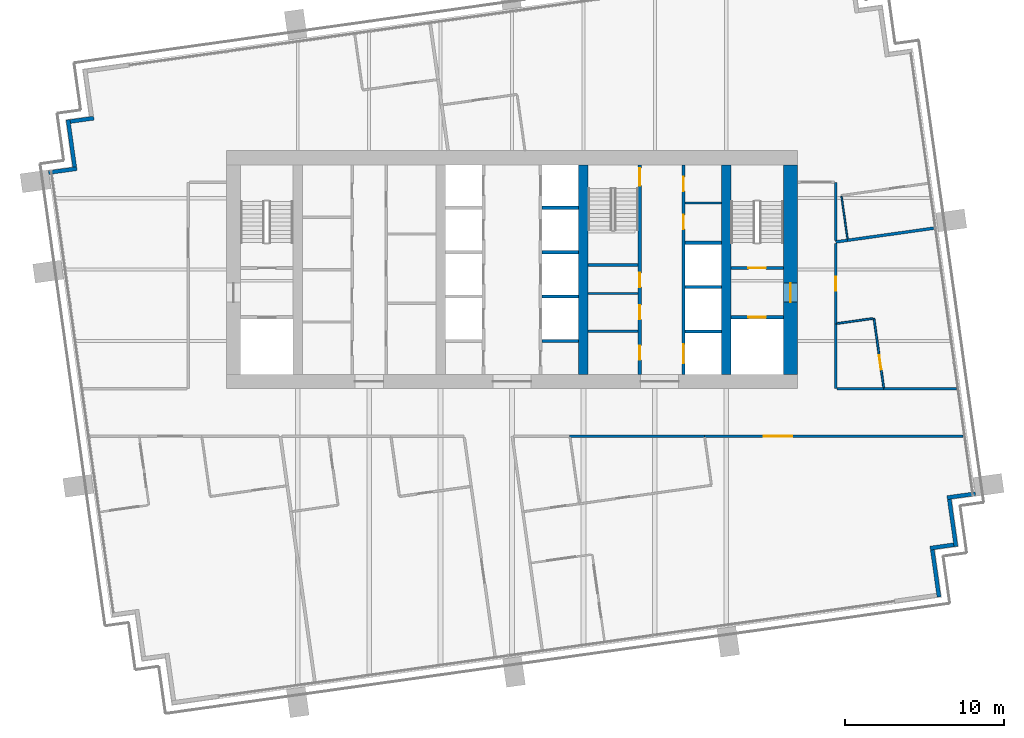
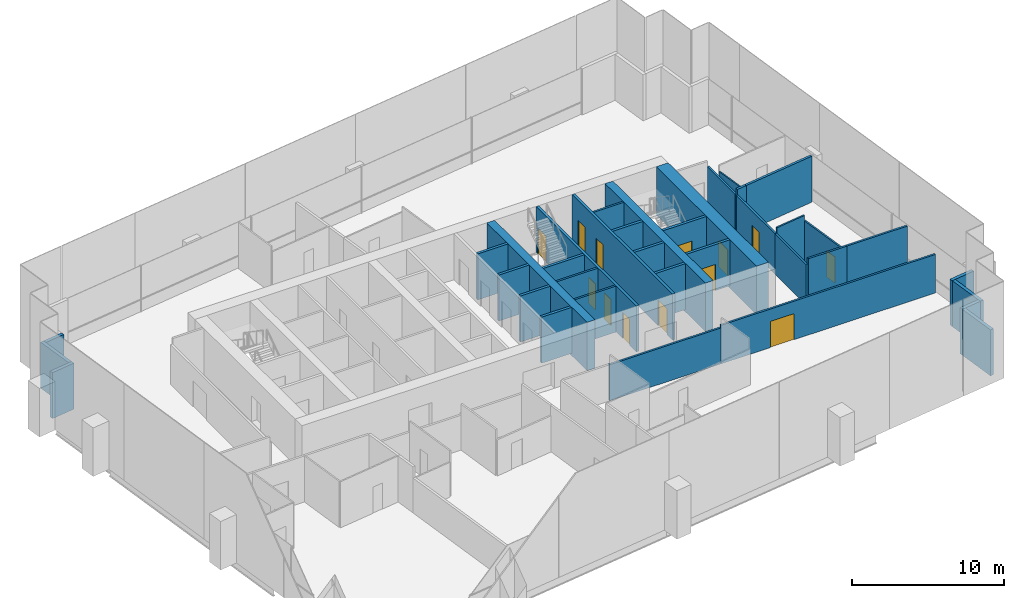
# One storey, part 11 of 17: 37 walls, 13 doors, 13 openings.
"""IFC4 building model written with IfcOpenShell, lengths in metres."""

from ifc_helpers import new_model, si_unit, direction, frame, frame_2d, origin, place, context, subcontext, project, spatial, rectangle, extrude, material, layer, layer_set, type_object, element, fill, save


model = new_model("IFC4")

# Units and contexts
model_context = context("Model", 3, precision=1e-05, world=origin(), true_north=direction((0.0, 1.0)))
body_context = subcontext(model_context, "Body", "Model", "MODEL_VIEW")
ifc_project = project(units=[si_unit("LENGTHUNIT", "METRE"), si_unit("AREAUNIT", "SQUARE_METRE"), si_unit("VOLUMEUNIT", "CUBIC_METRE"), si_unit("PLANEANGLEUNIT", "RADIAN"), si_unit("MASSUNIT", "GRAM", prefix="KILO")], contexts=[model_context])

# Site, building, storey
site_placement = place(None, origin())
site = spatial("IfcSite", under=ifc_project, at=site_placement, CompositionType="ELEMENT")
building_placement = place(site_placement, origin())
building = spatial("IfcBuilding", under=site, at=building_placement, Name="Rattan Terrace Tower", CompositionType="ELEMENT")
storey_placement = place(building_placement, frame((0.0, 0.0, 168.5)))
storey = spatial("IfcBuildingStorey", under=building, at=storey_placement, Name="L38", CompositionType="ELEMENT", Elevation=168.5)

# Walls
ifc_material_1 = material(Name="Gypsum board partition")
ifc_layer_1 = layer(ifc_material_1, 0.14990234375)
ifc_layer_set_1 = layer_set([ifc_layer_1], Name="Core partition 150")
wall_type_1 = type_object("IfcWallType", Name="Core partition 150", PredefinedType="PARTITIONING", material=ifc_layer_set_1)
for number, where, z_axis, x_axis, name in (
    (1, (4.800048828125, -3.8798828125, 0.0), (0.0, 0.0, 1.0), (1.0, 0.0, 0.0), "Toilet wall"),
    (2, (4.800048828125, -1.5, 0.0), (0.0, 0.0, 1.0), (1.0, 0.0, 0.0), "Toilet wall"),
):
    element("IfcWall", number, at=place(storey_placement, frame(where, z_axis=z_axis, x_axis=x_axis)), inside=storey, type_object=wall_type_1, Name=name, PredefinedType="PARTITIONING", context=body_context, shape_type="SweptSolid", body=[
        extrude(rectangle(XDim=3.14990234375, YDim=0.14990234375, at=frame_2d((1.574951171875, 0.0))), origin(), (0.0, 0.0, 1.0), 3.699951171875),
    ])
wall_1_placement = place(storey_placement, frame((10.89990234375, 4.199951171875, 0.0), z_axis=(0.0, 0.0, 1.0), x_axis=(1.0, 0.0, 0.0)))
element("IfcWall", 3, at=wall_1_placement, inside=storey, type_object=wall_type_1, Name="Riser room wall", PredefinedType="PARTITIONING", context=body_context, shape_type="SweptSolid", body=[
    extrude(rectangle(XDim=2.300048828125, YDim=0.14990234375, at=frame_2d((1.14990234375, 0.0))), origin(), (0.0, 0.0, 1.0), 3.699951171875),
])

# Wall, opening, door
ifc_material_2 = material(Name="Gypsum board partition")
ifc_layer_2 = layer(ifc_material_2, 0.199951171875)
ifc_layer_set_2 = layer_set([ifc_layer_2], Name="Core partition 200")
wall_type_2 = type_object("IfcWallType", Name="Core partition 200", PredefinedType="PARTITIONING", material=ifc_layer_set_2)
wall_2_placement = place(storey_placement, frame((13.800048828125, -3.0, 0.0), z_axis=(0.0, 0.0, 1.0), x_axis=(1.0, 0.0, 0.0)))
wall_2 = element("IfcWall", 4, at=wall_2_placement, inside=storey, type_object=wall_type_2, Name="Fire-fighting lobby wall", PredefinedType="PARTITIONING", context=body_context, shape_type="SweptSolid", body=[
    extrude(rectangle(XDim=3.300048828125, YDim=0.199951171875, at=frame_2d((1.64990234375, 0.0))), origin(), (0.0, 0.0, 1.0), 3.699951171875),
])
opening_1_placement = place(wall_2_placement, frame((1.10009765625, 0.0, 0.0)))
opening_1 = element("IfcOpeningElement", 5, at=opening_1_placement, cuts=wall_2, Name="Opening L38-LD-FF2", PredefinedType="OPENING", context=body_context, shape_type="SweptSolid", body=[
    extrude(rectangle(XDim=1.10009765625, YDim=2.10009765625, at=frame_2d((0.550048828125, 1.050048828125))), frame((0.0, 0.110595703125, 0.0), z_axis=(0.0, -1.0, 0.0), x_axis=(1.0, 0.0, 0.0)), (0.0, 0.0, 1.0), 0.220947265625),
])
ifc_material_3 = material(Name="Brushed stainless landing door panel")
door_type_1 = type_object("IfcDoorType", Name="Core lift landing door 1100", OperationType="DOUBLE_DOOR_SLIDING", PredefinedType="DOOR", material=ifc_material_3)
door_1_placement = place(opening_1_placement, origin())
door_1 = element("IfcDoor", 6, at=door_1_placement, inside=storey, type_object=door_type_1, Name="Door L38-LD-FF2", OperationType="DOUBLE_DOOR_SLIDING", OverallHeight=2.10009765625, OverallWidth=1.10009765625, PredefinedType="DOOR", context=body_context, shape_type="SweptSolid", body=[
    extrude(rectangle(XDim=1.10009765625, YDim=2.10009765625, at=frame_2d((0.550048828125, 1.050048828125))), frame((0.0, 0.02490234375, 0.0), z_axis=(0.0, -1.0, 0.0), x_axis=(1.0, 0.0, 0.0)), (0.0, 0.0, 1.0), 0.050048828125),
])
fill(opening_1, door_1)

wall_3_placement = place(storey_placement, frame((13.800048828125, 0.10009765625, 0.0), z_axis=(0.0, 0.0, 1.0), x_axis=(1.0, 0.0, 0.0)))
wall_3 = element("IfcWall", 7, at=wall_3_placement, inside=storey, type_object=wall_type_2, Name="Stair enclosure wall", PredefinedType="PARTITIONING", context=body_context, shape_type="SweptSolid", body=[
    extrude(rectangle(XDim=3.300048828125, YDim=0.199951171875, at=frame_2d((1.64990234375, 0.0))), origin(), (0.0, 0.0, 1.0), 3.699951171875),
])
opening_2_placement = place(wall_3_placement, frame((1.10009765625, 0.0, 0.0)))
opening_2 = element("IfcOpeningElement", 8, at=opening_2_placement, cuts=wall_3, Name="Opening L38-D004", PredefinedType="OPENING", context=body_context, shape_type="SweptSolid", body=[
    extrude(rectangle(XDim=1.10009765625, YDim=2.10009765625, at=frame_2d((0.550048828125, 1.050048828125))), frame((0.0, 0.110595703125, 0.0), z_axis=(0.0, -1.0, 0.0), x_axis=(1.0, 0.0, 0.0)), (0.0, 0.0, 1.0), 0.220947265625),
])
ifc_material_4 = material(Name="Hollow-metal fire door leaf")
door_type_2 = type_object("IfcDoorType", Name="Core stair door 1100", OperationType="NOTDEFINED", PredefinedType="DOOR", material=ifc_material_4)
door_2_placement = place(opening_2_placement, origin())
door_2 = element("IfcDoor", 9, at=door_2_placement, inside=storey, type_object=door_type_2, Name="Door L38-D004", OperationType="SINGLE_SWING_RIGHT", OverallHeight=2.10009765625, OverallWidth=1.10009765625, PredefinedType="DOOR", context=body_context, shape_type="SweptSolid", body=[
    extrude(rectangle(XDim=1.10009765625, YDim=2.10009765625, at=frame_2d((0.550048828125, 1.050048828125))), frame((0.0, 0.02490234375, 0.0), z_axis=(0.0, -1.0, 0.0), x_axis=(1.0, 0.0, 0.0)), (0.0, 0.0, 1.0), 0.050048828125),
])
fill(opening_2, door_2)

# Wall, openings, doors
wall_4_placement = place(storey_placement, frame((8.050048828125, -6.60009765625, 0.0), z_axis=(0.0, 0.0, 1.0), x_axis=(0.0, 1.0, 0.0)))
wall_4 = element("IfcWall", 10, at=wall_4_placement, inside=storey, type_object=wall_type_2, Name="Lobby wall west", PredefinedType="PARTITIONING", context=body_context, shape_type="SweptSolid", body=[
    extrude(rectangle(XDim=13.2001953125, YDim=0.199951171875, at=frame_2d((6.60009765625, 0.0))), origin(), (0.0, 0.0, 1.0), 3.699951171875),
])
opening_3_placement = place(wall_4_placement, frame((0.909912109375, 0.0, 0.0)))
opening_3 = element("IfcOpeningElement", 11, at=opening_3_placement, cuts=wall_4, Name="Opening L38-D016", PredefinedType="OPENING", context=body_context, shape_type="SweptSolid", body=[
    extrude(rectangle(XDim=0.89990234375, YDim=2.10009765625, at=frame_2d((0.449951171875, 1.050048828125))), frame((0.0, 0.110595703125, 0.0), z_axis=(0.0, -1.0, 0.0), x_axis=(1.0, 0.0, 0.0)), (0.0, 0.0, 1.0), 0.220947265625),
])
opening_4_placement = place(wall_4_placement, frame((3.4599609375, 0.0, 0.0)))
opening_4 = element("IfcOpeningElement", 12, at=opening_4_placement, cuts=wall_4, Name="Opening L38-D017", PredefinedType="OPENING", context=body_context, shape_type="SweptSolid", body=[
    extrude(rectangle(XDim=0.89990234375, YDim=2.10009765625, at=frame_2d((0.449951171875, 1.050048828125))), frame((0.0, 0.110595703125, 0.0), z_axis=(0.0, -1.0, 0.0), x_axis=(1.0, 0.0, 0.0)), (0.0, 0.0, 1.0), 0.220947265625),
])
opening_5_placement = place(wall_4_placement, frame((5.5, 0.0, 0.0)))
opening_5 = element("IfcOpeningElement", 13, at=opening_5_placement, cuts=wall_4, Name="Opening L38-D018", PredefinedType="OPENING", context=body_context, shape_type="SweptSolid", body=[
    extrude(rectangle(XDim=0.89990234375, YDim=2.10009765625, at=frame_2d((0.449951171875, 1.050048828125))), frame((0.0, 0.110595703125, 0.0), z_axis=(0.0, -1.0, 0.0), x_axis=(1.0, 0.0, 0.0)), (0.0, 0.0, 1.0), 0.220947265625),
])
opening_6_placement = place(wall_4_placement, frame((11.89990234375, 0.0, 0.0)))
opening_6 = element("IfcOpeningElement", 14, at=opening_6_placement, cuts=wall_4, Name="Opening L38-D019", PredefinedType="OPENING", context=body_context, shape_type="SweptSolid", body=[
    extrude(rectangle(XDim=1.10009765625, YDim=2.10009765625, at=frame_2d((0.550048828125, 1.050048828125))), frame((0.0, 0.110595703125, 0.0), z_axis=(0.0, -1.0, 0.0), x_axis=(1.0, 0.0, 0.0)), (0.0, 0.0, 1.0), 0.220947265625),
])
ifc_material_5 = material(Name="Hollow-metal fire door leaf")
door_type_3 = type_object("IfcDoorType", Name="Core service room door 900", OperationType="NOTDEFINED", PredefinedType="DOOR", material=ifc_material_5)
door_3_placement = place(opening_5_placement, origin())
door_3 = element("IfcDoor", 15, at=door_3_placement, inside=storey, type_object=door_type_3, Name="Door L38-D018", OperationType="SINGLE_SWING_LEFT", OverallHeight=2.10009765625, OverallWidth=0.89990234375, PredefinedType="DOOR", context=body_context, shape_type="SweptSolid", body=[
    extrude(rectangle(XDim=0.89990234375, YDim=2.10009765625, at=frame_2d((0.449951171875, 1.050048828125))), frame((0.0, 0.02490234375, 0.0), z_axis=(0.0, -1.0, 0.0), x_axis=(1.0, 0.0, 0.0)), (0.0, 0.0, 1.0), 0.050048828125),
])
fill(opening_5, door_3)
door_4_placement = place(opening_6_placement, origin())
door_4 = element("IfcDoor", 16, at=door_4_placement, inside=storey, type_object=door_type_2, Name="Door L38-D019", OperationType="SINGLE_SWING_RIGHT", OverallHeight=2.10009765625, OverallWidth=1.10009765625, PredefinedType="DOOR", context=body_context, shape_type="SweptSolid", body=[
    extrude(rectangle(XDim=1.10009765625, YDim=2.10009765625, at=frame_2d((0.550048828125, 1.050048828125))), frame((0.0, 0.02490234375, 0.0), z_axis=(0.0, -1.0, 0.0), x_axis=(1.0, 0.0, 0.0)), (0.0, 0.0, 1.0), 0.050048828125),
])
fill(opening_6, door_4)
ifc_material_6 = material(Name="Hollow-metal fire door leaf")
door_type_4 = type_object("IfcDoorType", Name="Core toilet door 900", OperationType="NOTDEFINED", PredefinedType="DOOR", material=ifc_material_6)
door_5_placement = place(opening_3_placement, origin())
door_5 = element("IfcDoor", 17, at=door_5_placement, inside=storey, type_object=door_type_4, Name="Door L38-D016", OperationType="SINGLE_SWING_LEFT", OverallHeight=2.10009765625, OverallWidth=0.89990234375, PredefinedType="DOOR", context=body_context, shape_type="SweptSolid", body=[
    extrude(rectangle(XDim=0.89990234375, YDim=2.10009765625, at=frame_2d((0.449951171875, 1.050048828125))), frame((0.0, 0.02490234375, 0.0), z_axis=(0.0, -1.0, 0.0), x_axis=(1.0, 0.0, 0.0)), (0.0, 0.0, 1.0), 0.050048828125),
])
fill(opening_3, door_5)
door_6_placement = place(opening_4_placement, origin())
door_6 = element("IfcDoor", 18, at=door_6_placement, inside=storey, type_object=door_type_4, Name="Door L38-D017", OperationType="SINGLE_SWING_RIGHT", OverallHeight=2.10009765625, OverallWidth=0.89990234375, PredefinedType="DOOR", context=body_context, shape_type="SweptSolid", body=[
    extrude(rectangle(XDim=0.89990234375, YDim=2.10009765625, at=frame_2d((0.449951171875, 1.050048828125))), frame((0.0, 0.02490234375, 0.0), z_axis=(0.0, -1.0, 0.0), x_axis=(1.0, 0.0, 0.0)), (0.0, 0.0, 1.0), 0.050048828125),
])
fill(opening_4, door_6)

# Wall
wall_5_placement = place(storey_placement, frame((4.800048828125, 0.300048828125, 0.0), z_axis=(0.0, 0.0, 1.0), x_axis=(1.0, 0.0, 0.0)))
element("IfcWall", 19, at=wall_5_placement, inside=storey, type_object=wall_type_2, Name="Stair enclosure wall", PredefinedType="PARTITIONING", context=body_context, shape_type="SweptSolid", body=[
    extrude(rectangle(XDim=3.14990234375, YDim=0.199951171875, at=frame_2d((1.574951171875, 0.0))), origin(), (0.0, 0.0, 1.0), 3.699951171875),
])

# Wall, opening, door
ifc_material_7 = material(Name="Concrete C60/75", Category="concrete")
ifc_layer_3 = layer(ifc_material_7, 0.89990234375)
ifc_layer_set_3 = layer_set([ifc_layer_3], Name="Core ring wall 900 C60/75")
wall_type_3 = type_object("IfcWallType", Name="Core ring wall 900 C60/75", PredefinedType="SHEAR", material=ifc_layer_set_3)
wall_6_placement = place(storey_placement, frame((17.550048828125, -6.60009765625, -0.199951171875), z_axis=(0.0, 0.0, 1.0), x_axis=(0.0, 1.0, 0.0)))
wall_6 = element("IfcWall", 20, at=wall_6_placement, inside=storey, type_object=wall_type_3, Name="Rear core wall east", PredefinedType="SHEAR", context=body_context, shape_type="SweptSolid", body=[
    extrude(rectangle(XDim=13.2001953125, YDim=0.89990234375, at=frame_2d((6.60009765625, 0.0))), origin(), (0.0, 0.0, 1.0), 3.89990234375),
])
opening_7_placement = place(wall_6_placement, frame((4.550048828125, 0.0, 0.199951171875)))
opening_7 = element("IfcOpeningElement", 21, at=opening_7_placement, cuts=wall_6, Name="Opening L38-D003", PredefinedType="OPENING", context=body_context, shape_type="SweptSolid", body=[
    extrude(rectangle(XDim=1.199951171875, YDim=2.10009765625, at=frame_2d((0.60009765625, 1.050048828125))), frame((0.0, 0.46044921875, 0.0), z_axis=(0.0, -1.0, 0.0), x_axis=(1.0, 0.0, 0.0)), (0.0, 0.0, 1.0), 0.9208984375),
])
ifc_material_8 = material(Name="Hollow-metal fire door leaf")
door_type_5 = type_object("IfcDoorType", Name="Core fire-fighting lobby door 1200", OperationType="NOTDEFINED", PredefinedType="DOOR", material=ifc_material_8)
door_7_placement = place(opening_7_placement, origin())
door_7 = element("IfcDoor", 22, at=door_7_placement, inside=storey, type_object=door_type_5, Name="Door L38-D003", OperationType="SINGLE_SWING_LEFT", OverallHeight=2.10009765625, OverallWidth=1.199951171875, PredefinedType="DOOR", context=body_context, shape_type="SweptSolid", body=[
    extrude(rectangle(XDim=1.199951171875, YDim=2.10009765625, at=frame_2d((0.60009765625, 1.050048828125))), frame((0.0, 0.02490234375, 0.0), z_axis=(0.0, -1.0, 0.0), x_axis=(1.0, 0.0, 0.0)), (0.0, 0.0, 1.0), 0.050048828125),
])
fill(opening_7, door_7)

# Walls
ifc_material_9 = material(Name="Concrete C60/75", Category="concrete")
ifc_layer_4 = layer(ifc_material_9, 0.60009765625)
ifc_layer_set_4 = layer_set([ifc_layer_4], Name="Core spine wall 600 C60/75")
wall_type_4 = type_object("IfcWallType", Name="Core spine wall 600 C60/75", PredefinedType="SHEAR", material=ifc_layer_set_4)
for number, where, z_axis, x_axis, name in (
    (23, (4.5, -6.60009765625, -0.199951171875), (0.0, 0.0, 1.0), (0.0, 1.0, 0.0), "Core spine wall 3"),
    (24, (13.5, -6.60009765625, -0.199951171875), (0.0, 0.0, 1.0), (0.0, 1.0, 0.0), "Core spine wall 4"),
):
    element("IfcWall", number, at=place(storey_placement, frame(where, z_axis=z_axis, x_axis=x_axis)), inside=storey, type_object=wall_type_4, Name=name, PredefinedType="SHEAR", context=body_context, shape_type="SweptSolid", body=[
        extrude(rectangle(XDim=13.2001953125, YDim=0.60009765625, at=frame_2d((6.60009765625, 0.0))), origin(), (0.0, 0.0, 1.0), 3.89990234375),
    ])
ifc_material_10 = material(Name="Insulated aluminium-clad stud wall", Category="aluminium")
ifc_layer_5 = layer(ifc_material_10, 0.25)
ifc_layer_set_5 = layer_set([ifc_layer_5], Name="Facade Riser Wall 250")
wall_type_5 = type_object("IfcWallType", Name="Facade Riser Wall 250", PredefinedType="SOLIDWALL", material=ifc_layer_set_5)
wall_7_placement = place(storey_placement, frame((26.9052734375, -20.6220703125, 0.0), z_axis=(0.0, 0.0, 1.0), x_axis=(-0.139313431826, 0.990248336385, 0.0)))
element("IfcWall", 25, at=wall_7_placement, inside=storey, type_object=wall_type_5, Name="Riser wall L38-2", PredefinedType="SOLIDWALL", context=body_context, shape_type="SweptSolid", body=[
    extrude(rectangle(XDim=3.000244140625, YDim=0.25, at=frame_2d((1.5, 0.0))), origin(), (0.0, 0.0, 1.0), 3.699951171875),
])
wall_8_placement = place(storey_placement, frame((26.34619140625, -17.54443359375, 0.0), z_axis=(0.0, 0.0, 1.0), x_axis=(0.990368090482, 0.13845954411, 0.0)))
element("IfcWall", 26, at=wall_8_placement, inside=storey, type_object=wall_type_5, Name="Riser wall L38-3", PredefinedType="SOLIDWALL", context=body_context, shape_type="SweptSolid", body=[
    extrude(rectangle(XDim=1.50048828125, YDim=0.25, at=frame_2d((0.750244140625, 0.0))), origin(), (0.0, 0.0, 1.0), 3.699951171875),
])
wall_9_placement = place(storey_placement, frame((27.973388671875, -17.443115234375, 0.0), z_axis=(0.0, 0.0, 1.0), x_axis=(-0.139313431826, 0.990248336385, 0.0)))
element("IfcWall", 27, at=wall_9_placement, inside=storey, type_object=wall_type_5, Name="Riser wall L38-4", PredefinedType="SOLIDWALL", context=body_context, shape_type="SweptSolid", body=[
    extrude(rectangle(XDim=3.000244140625, YDim=0.25, at=frame_2d((1.5, 0.0))), origin(), (0.0, 0.0, 1.0), 3.699951171875),
])
wall_10_placement = place(storey_placement, frame((27.414306640625, -14.36572265625, 0.0), z_axis=(0.0, 0.0, 1.0), x_axis=(0.990256286673, 0.139256908998, 0.0)))
element("IfcWall", 28, at=wall_10_placement, inside=storey, type_object=wall_type_5, Name="Riser wall L38-5", PredefinedType="SOLIDWALL", context=body_context, shape_type="SweptSolid", body=[
    extrude(rectangle(XDim=1.800537109375, YDim=0.25, at=frame_2d((0.900390625, 0.0))), origin(), (0.0, 0.0, 1.0), 3.699951171875),
])
wall_11_placement = place(storey_placement, frame((-26.34619140625, 9.54443359375, 0.0), z_axis=(0.0, 0.0, 1.0), x_axis=(-0.990368090482, -0.13845954411, 0.0)))
element("IfcWall", 29, at=wall_11_placement, inside=storey, type_object=wall_type_5, Name="Riser wall L38-13", PredefinedType="SOLIDWALL", context=body_context, shape_type="SweptSolid", body=[
    extrude(rectangle(XDim=1.50048828125, YDim=0.25, at=frame_2d((0.750244140625, 0.0))), origin(), (0.0, 0.0, 1.0), 3.699951171875),
])
wall_12_placement = place(storey_placement, frame((-27.973388671875, 9.443115234375, 0.0), z_axis=(0.0, 0.0, 1.0), x_axis=(0.139313431826, -0.990248336385, 0.0)))
element("IfcWall", 30, at=wall_12_placement, inside=storey, type_object=wall_type_5, Name="Riser wall L38-14", PredefinedType="SOLIDWALL", context=body_context, shape_type="SweptSolid", body=[
    extrude(rectangle(XDim=3.000244140625, YDim=0.25, at=frame_2d((1.5, 0.0))), origin(), (0.0, 0.0, 1.0), 3.699951171875),
])
wall_13_placement = place(storey_placement, frame((-27.414306640625, 6.36572265625, 0.0), z_axis=(0.0, 0.0, 1.0), x_axis=(-0.990256286673, -0.139256908998, 0.0)))
element("IfcWall", 31, at=wall_13_placement, inside=storey, type_object=wall_type_5, Name="Riser wall L38-15", PredefinedType="SOLIDWALL", context=body_context, shape_type="SweptSolid", body=[
    extrude(rectangle(XDim=1.800537109375, YDim=0.25, at=frame_2d((0.900390625, 0.0))), origin(), (0.0, 0.0, 1.0), 3.699951171875),
])
ifc_material_11 = material(Name="Double steel stud acoustic partition, gypsum board, mineral wool, fire rated", Category="steel")
ifc_layer_6 = layer(ifc_material_11, 0.179931640625)
ifc_layer_set_6 = layer_set([ifc_layer_6], Name="Floors Acoustic Party Wall 180")
wall_type_6 = type_object("IfcWallType", Name="Floors Acoustic Party Wall 180", PredefinedType="PARTITIONING", material=ifc_layer_set_6)
wall_14_placement = place(storey_placement, frame((20.39892578125, 1.7451171875, 0.0), z_axis=(0.0, 0.0, 1.0), x_axis=(0.990315465901, 0.138835434947, 0.0)))
element("IfcWall", 32, at=wall_14_placement, inside=storey, type_object=wall_type_6, Name="pt-L38-048", PredefinedType="PARTITIONING", context=body_context, shape_type="SweptSolid", body=[
    extrude(rectangle(XDim=0.740234375, YDim=0.179931640625, at=frame_2d((0.3701171875, 0.0))), origin(), (0.0, 0.0, 1.0), 3.699951171875),
])
wall_15_placement = place(storey_placement, frame((21.132080078125, 1.847900390625, 0.0), z_axis=(0.0, 0.0, 1.0), x_axis=(0.990277893792, 0.139103174181, 0.0)))
element("IfcWall", 33, at=wall_15_placement, inside=storey, type_object=wall_type_6, Name="pt-L38-049", PredefinedType="PARTITIONING", context=body_context, shape_type="SweptSolid", body=[
    extrude(rectangle(XDim=5.50048828125, YDim=0.179931640625, at=frame_2d((2.750244140625, 0.0))), origin(), (0.0, 0.0, 1.0), 3.699951171875),
])
ifc_material_12 = material(Name="Gypsum board partition on steel studs", Category="steel")
ifc_layer_7 = layer(ifc_material_12, 0.10009765625)
ifc_layer_set_7 = layer_set([ifc_layer_7], Name="Floors Partition 100")
wall_type_7 = type_object("IfcWallType", Name="Floors Partition 100", PredefinedType="PARTITIONING", material=ifc_layer_set_7)
wall_16_placement = place(storey_placement, frame((20.761962890625, 4.623046875, 0.0), z_axis=(0.0, 0.0, 1.0), x_axis=(0.139125052108, -0.990274820379, 0.0)))
element("IfcWall", 34, at=wall_16_placement, inside=storey, type_object=wall_type_7, Name="pt-L38-050", PredefinedType="PARTITIONING", context=body_context, shape_type="SweptSolid", body=[
    extrude(rectangle(XDim=2.70947265625, YDim=0.10009765625, at=frame_2d((1.354736328125, 0.0))), origin(), (0.0, 0.0, 1.0), 3.25),
])

# Wall, opening, door
ifc_material_13 = material(Name="Gypsum board partition on steel studs, fire rated", Category="steel")
ifc_layer_8 = layer(ifc_material_13, 0.14990234375)
ifc_layer_set_8 = layer_set([ifc_layer_8], Name="Floors Tenancy Wall 150")
wall_type_8 = type_object("IfcWallType", Name="Floors Tenancy Wall 150", PredefinedType="PARTITIONING", material=ifc_layer_set_8)
wall_17_placement = place(storey_placement, frame((28.4208984375, -10.5, 0.0), z_axis=(0.0, 0.0, 1.0), x_axis=(-1.0, 0.0, 0.0)))
wall_17 = element("IfcWall", 35, at=wall_17_placement, inside=storey, type_object=wall_type_8, Name="pt-L38-010", PredefinedType="PARTITIONING", context=body_context, shape_type="SweptSolid", body=[
    extrude(rectangle(XDim=16.307861328125, YDim=0.14990234375, at=frame_2d((8.15380859375, 0.0))), origin(), (0.0, 0.0, 1.0), 3.10009765625),
])
opening_8_placement = place(wall_17_placement, frame((10.756103515625, 0.0, 0.0)))
opening_8 = element("IfcOpeningElement", 36, at=opening_8_placement, cuts=wall_17, Name="Opening L38-D106", PredefinedType="OPENING", context=body_context, shape_type="SweptSolid", body=[
    extrude(rectangle(XDim=1.800048828125, YDim=2.10009765625, at=frame_2d((0.89990234375, 1.050048828125))), frame((0.0, 0.08544921875, 0.0), z_axis=(0.0, -1.0, 0.0), x_axis=(1.0, 0.0, 0.0)), (0.0, 0.0, 1.0), 0.1708984375),
])
ifc_material_14 = material(Name="Steel fire door set", Category="steel")
door_type_6 = type_object("IfcDoorType", Name="Floors Fire Door Pair FD30S 1800x2100", OperationType="NOTDEFINED", PredefinedType="DOOR", material=ifc_material_14)
door_8_placement = place(opening_8_placement, origin())
door_8 = element("IfcDoor", 37, at=door_8_placement, inside=storey, type_object=door_type_6, Name="d-L38-106", OperationType="DOUBLE_DOOR_SINGLE_SWING", OverallHeight=2.10009765625, OverallWidth=1.800048828125, PredefinedType="DOOR", context=body_context, shape_type="SweptSolid", body=[
    extrude(rectangle(XDim=1.800048828125, YDim=2.10009765625, at=frame_2d((0.89990234375, 1.050048828125))), frame((0.0, 0.02490234375, 0.0), z_axis=(0.0, -1.0, 0.0), x_axis=(1.0, 0.0, 0.0)), (0.0, 0.0, 1.0), 0.050048828125),
])
fill(opening_8, door_8)

# Wall
wall_18_placement = place(storey_placement, frame((12.113037109375, -10.5, 0.0), z_axis=(0.0, 0.0, 1.0), x_axis=(-1.0, 0.0, 0.0)))
element("IfcWall", 38, at=wall_18_placement, inside=storey, type_object=wall_type_8, Name="pt-L38-014", PredefinedType="PARTITIONING", context=body_context, shape_type="SweptSolid", body=[
    extrude(rectangle(XDim=8.483154296875, YDim=0.14990234375, at=frame_2d((4.24169921875, 0.0))), origin(), (0.0, 0.0, 1.0), 2.89990234375),
])

# Wall, opening, door
wall_19_placement = place(storey_placement, frame((20.39990234375, 1.656005859375, 0.0), z_axis=(0.0, 0.0, 1.0), x_axis=(0.0, -1.0, 0.0)))
wall_19 = element("IfcWall", 39, at=wall_19_placement, inside=storey, type_object=wall_type_8, Name="pt-L38-018", PredefinedType="PARTITIONING", context=body_context, shape_type="SweptSolid", body=[
    extrude(rectangle(XDim=5.0810546875, YDim=0.14990234375, at=frame_2d((2.54052734375, 0.0))), origin(), (0.0, 0.0, 1.0), 3.25),
])
opening_9_placement = place(wall_19_placement, frame((2.090087890625, 0.0, 0.0)))
opening_9 = element("IfcOpeningElement", 40, at=opening_9_placement, cuts=wall_19, Name="Opening L38-D112", PredefinedType="OPENING", context=body_context, shape_type="SweptSolid", body=[
    extrude(rectangle(XDim=0.89990234375, YDim=2.10009765625, at=frame_2d((0.449951171875, 1.050048828125))), frame((0.0, 0.08544921875, 0.0), z_axis=(0.0, -1.0, 0.0), x_axis=(1.0, 0.0, 0.0)), (0.0, 0.0, 1.0), 0.1708984375),
])
ifc_material_15 = material(Name="Steel fire door set", Category="steel")
door_type_7 = type_object("IfcDoorType", Name="Floors Fire Door FD30S 900x2100", OperationType="NOTDEFINED", PredefinedType="DOOR", material=ifc_material_15)
door_9_placement = place(opening_9_placement, origin())
door_9 = element("IfcDoor", 41, at=door_9_placement, inside=storey, type_object=door_type_7, Name="d-L38-112", OperationType="SINGLE_SWING_LEFT", OverallHeight=2.10009765625, OverallWidth=0.89990234375, PredefinedType="DOOR", context=body_context, shape_type="SweptSolid", body=[
    extrude(rectangle(XDim=0.89990234375, YDim=2.10009765625, at=frame_2d((0.449951171875, 1.050048828125))), frame((0.0, 0.02490234375, 0.0), z_axis=(0.0, -1.0, 0.0), x_axis=(1.0, 0.0, 0.0)), (0.0, 0.0, 1.0), 0.050048828125),
])
fill(opening_9, door_9)

# Walls
wall_20_placement = place(storey_placement, frame((23.408935546875, -7.5, 0.0), z_axis=(0.0, 0.0, 1.0), x_axis=(1.0, 0.0, 0.0)))
element("IfcWall", 42, at=wall_20_placement, inside=storey, type_object=wall_type_8, Name="pt-L38-019", PredefinedType="PARTITIONING", context=body_context, shape_type="SweptSolid", body=[
    extrude(rectangle(XDim=4.590087890625, YDim=0.14990234375, at=frame_2d((2.294921875, 0.0))), origin(), (0.0, 0.0, 1.0), 3.699951171875),
])
wall_21_placement = place(storey_placement, frame((20.39990234375, -3.425048828125, 0.0), z_axis=(0.0, 0.0, 1.0), x_axis=(0.0, -1.0, 0.0)))
element("IfcWall", 43, at=wall_21_placement, inside=storey, type_object=wall_type_8, Name="pt-L38-020", PredefinedType="PARTITIONING", context=body_context, shape_type="SweptSolid", body=[
    extrude(rectangle(XDim=4.074951171875, YDim=0.14990234375, at=frame_2d((2.03759765625, 0.0))), origin(), (0.0, 0.0, 1.0), 3.25),
])
wall_22_placement = place(storey_placement, frame((20.47509765625, -7.5, 0.0), z_axis=(0.0, 0.0, 1.0), x_axis=(1.0, 0.0, 0.0)))
element("IfcWall", 44, at=wall_22_placement, inside=storey, type_object=wall_type_8, Name="pt-L38-021", PredefinedType="PARTITIONING", context=body_context, shape_type="SweptSolid", body=[
    extrude(rectangle(XDim=2.933837890625, YDim=0.14990234375, at=frame_2d((1.466796875, 0.0))), origin(), (0.0, 0.0, 1.0), 3.699951171875),
])
wall_23_placement = place(storey_placement, frame((20.39990234375, 5.5, 0.0), z_axis=(0.0, 0.0, 1.0), x_axis=(0.0, -1.0, 0.0)))
element("IfcWall", 45, at=wall_23_placement, inside=storey, type_object=wall_type_8, Name="pt-L38-023", PredefinedType="PARTITIONING", context=body_context, shape_type="SweptSolid", body=[
    extrude(rectangle(XDim=3.654052734375, YDim=0.14990234375, at=frame_2d((1.8271484375, 0.0))), origin(), (0.0, 0.0, 1.0), 3.25),
])
ifc_material_16 = material(Name="Moisture resistant gypsum board partition on steel studs with service cavity", Category="steel")
ifc_layer_9 = layer(ifc_material_16, 0.1201171875)
ifc_layer_set_9 = layer_set([ifc_layer_9], Name="Floors Wet Wall 120")
wall_type_9 = type_object("IfcWallType", Name="Floors Wet Wall 120", PredefinedType="PARTITIONING", material=ifc_layer_set_9)
wall_24_placement = place(storey_placement, frame((22.7470703125, -3.074951171875, 0.0), z_axis=(0.0, 0.0, 1.0), x_axis=(-0.990231660618, -0.139431912808, 0.0)))
element("IfcWall", 46, at=wall_24_placement, inside=storey, type_object=wall_type_9, Name="pt-L38-046", PredefinedType="PARTITIONING", context=body_context, shape_type="SweptSolid", body=[
    extrude(rectangle(XDim=2.302490234375, YDim=0.1201171875, at=frame_2d((1.1513671875, 0.0))), origin(), (0.0, 0.0, 1.0), 3.699951171875),
])

# Wall, opening, door
wall_25_placement = place(storey_placement, frame((23.419921875, -7.43310546875, 0.0), z_axis=(0.0, 0.0, 1.0), x_axis=(-0.13925822498, 0.99025610161, 0.0)))
wall_25 = element("IfcWall", 47, at=wall_25_placement, inside=storey, type_object=wall_type_9, Name="pt-L38-047", PredefinedType="PARTITIONING", context=body_context, shape_type="SweptSolid", body=[
    extrude(rectangle(XDim=4.4091796875, YDim=0.1201171875, at=frame_2d((2.20458984375, 0.0))), origin(), (0.0, 0.0, 1.0), 3.25),
])
opening_10_placement = place(wall_25_placement, frame((1.153076171875, 0.0, 0.0)))
opening_10 = element("IfcOpeningElement", 48, at=opening_10_placement, cuts=wall_25, Name="Opening L38-D113", PredefinedType="OPENING", context=body_context, shape_type="SweptSolid", body=[
    extrude(rectangle(XDim=0.89990234375, YDim=2.10009765625, at=frame_2d((0.449951171875, 1.050048828125))), frame((0.0, 0.070556640625, 0.0), z_axis=(0.0, -1.0, 0.0), x_axis=(1.0, 0.0, 0.0)), (0.0, 0.0, 1.0), 0.14111328125),
])
ifc_material_17 = material(Name="Solid core timber door, painted", Category="wood")
door_type_8 = type_object("IfcDoorType", Name="Floors Door 900x2100", OperationType="NOTDEFINED", PredefinedType="DOOR", material=ifc_material_17)
door_10_placement = place(opening_10_placement, origin())
door_10 = element("IfcDoor", 49, at=door_10_placement, inside=storey, type_object=door_type_8, Name="d-L38-113", OperationType="SINGLE_SWING_LEFT", OverallHeight=2.10009765625, OverallWidth=0.89990234375, PredefinedType="DOOR", context=body_context, shape_type="SweptSolid", body=[
    extrude(rectangle(XDim=0.89990234375, YDim=2.10009765625, at=frame_2d((0.449951171875, 1.050048828125))), frame((0.0, 0.02490234375, 0.0), z_axis=(0.0, -1.0, 0.0), x_axis=(1.0, 0.0, 0.0)), (0.0, 0.0, 1.0), 0.050048828125),
])
fill(opening_10, door_10)

# Walls
ifc_material_18 = material(Name="Gypsum shaft wall system")
ifc_layer_10 = layer(ifc_material_18, 0.199951171875)
ifc_layer_set_10 = layer_set([ifc_layer_10], Name="Lift shaft wall 200")
wall_type_10 = type_object("IfcWallType", Name="Lift shaft wall 200", PredefinedType="PARTITIONING", material=ifc_layer_set_10)
for number, where, z_axis, x_axis, name in (
    (50, (1.89990234375, -1.699951171875, 0.0), (0.0, 0.0, 1.0), (1.0, 0.0, 0.0), "Lift shaft wall"),
    (51, (1.89990234375, 1.10009765625, 0.0), (0.0, 0.0, 1.0), (1.0, 0.0, 0.0), "Lift shaft wall"),
    (52, (1.89990234375, 3.89990234375, 0.0), (0.0, 0.0, 1.0), (1.0, 0.0, 0.0), "Lift shaft wall"),
    (53, (1.89990234375, -4.5, 0.0), (0.0, 0.0, 1.0), (1.0, 0.0, 0.0), "Lift shaft wall"),
):
    element("IfcWall", number, at=place(storey_placement, frame(where, z_axis=z_axis, x_axis=x_axis)), inside=storey, type_object=wall_type_10, Name=name, PredefinedType="PARTITIONING", context=body_context, shape_type="SweptSolid", body=[
        extrude(rectangle(XDim=2.300048828125, YDim=0.199951171875, at=frame_2d((1.14990234375, 0.0))), origin(), (0.0, 0.0, 1.0), 3.699951171875),
    ])

# Wall, openings, doors
wall_26_placement = place(storey_placement, frame((10.800048828125, -6.60009765625, 0.0), z_axis=(0.0, 0.0, 1.0), x_axis=(0.0, 1.0, 0.0)))
wall_26 = element("IfcWall", 54, at=wall_26_placement, inside=storey, type_object=wall_type_10, Name="Lift shaft front wall", PredefinedType="PARTITIONING", context=body_context, shape_type="SweptSolid", body=[
    extrude(rectangle(XDim=13.2001953125, YDim=0.199951171875, at=frame_2d((6.60009765625, 0.0))), origin(), (0.0, 0.0, 1.0), 3.699951171875),
])
opening_11_placement = place(wall_26_placement, frame((0.699951171875, 0.0, 0.0)))
opening_11 = element("IfcOpeningElement", 55, at=opening_11_placement, cuts=wall_26, Name="Opening L38-LD-SV1", PredefinedType="OPENING", context=body_context, shape_type="SweptSolid", body=[
    extrude(rectangle(XDim=1.199951171875, YDim=2.10009765625, at=frame_2d((0.60009765625, 1.050048828125))), frame((0.0, 0.110595703125, 0.0), z_axis=(0.0, -1.0, 0.0), x_axis=(1.0, 0.0, 0.0)), (0.0, 0.0, 1.0), 0.220947265625),
])
opening_12_placement = place(wall_26_placement, frame((9.14990234375, 0.0, 0.0)))
opening_12 = element("IfcOpeningElement", 56, at=opening_12_placement, cuts=wall_26, Name="Opening L38-D021", PredefinedType="OPENING", context=body_context, shape_type="SweptSolid", body=[
    extrude(rectangle(XDim=0.89990234375, YDim=2.10009765625, at=frame_2d((0.449951171875, 1.050048828125))), frame((0.0, 0.110595703125, 0.0), z_axis=(0.0, -1.0, 0.0), x_axis=(1.0, 0.0, 0.0)), (0.0, 0.0, 1.0), 0.220947265625),
])
opening_13_placement = place(wall_26_placement, frame((11.550048828125, 0.0, 0.0)))
opening_13 = element("IfcOpeningElement", 57, at=opening_13_placement, cuts=wall_26, Name="Opening L38-D022", PredefinedType="OPENING", context=body_context, shape_type="SweptSolid", body=[
    extrude(rectangle(XDim=0.89990234375, YDim=2.10009765625, at=frame_2d((0.449951171875, 1.050048828125))), frame((0.0, 0.110595703125, 0.0), z_axis=(0.0, -1.0, 0.0), x_axis=(1.0, 0.0, 0.0)), (0.0, 0.0, 1.0), 0.220947265625),
])
ifc_material_19 = material(Name="Brushed stainless landing door panel")
door_type_9 = type_object("IfcDoorType", Name="Core lift landing door 1200", OperationType="DOUBLE_DOOR_SLIDING", PredefinedType="DOOR", material=ifc_material_19)
door_11_placement = place(opening_11_placement, origin())
door_11 = element("IfcDoor", 58, at=door_11_placement, inside=storey, type_object=door_type_9, Name="Door L38-LD-SV1", OperationType="DOUBLE_DOOR_SLIDING", OverallHeight=2.10009765625, OverallWidth=1.199951171875, PredefinedType="DOOR", context=body_context, shape_type="SweptSolid", body=[
    extrude(rectangle(XDim=1.199951171875, YDim=2.10009765625, at=frame_2d((0.60009765625, 1.050048828125))), frame((0.0, 0.02490234375, 0.0), z_axis=(0.0, -1.0, 0.0), x_axis=(1.0, 0.0, 0.0)), (0.0, 0.0, 1.0), 0.050048828125),
])
fill(opening_11, door_11)
ifc_material_20 = material(Name="Hollow-metal fire door leaf")
door_type_10 = type_object("IfcDoorType", Name="Core riser door 900", OperationType="NOTDEFINED", PredefinedType="DOOR", material=ifc_material_20)
door_12_placement = place(opening_12_placement, origin())
door_12 = element("IfcDoor", 59, at=door_12_placement, inside=storey, type_object=door_type_10, Name="Door L38-D021", OperationType="SINGLE_SWING_LEFT", OverallHeight=2.10009765625, OverallWidth=0.89990234375, PredefinedType="DOOR", context=body_context, shape_type="SweptSolid", body=[
    extrude(rectangle(XDim=0.89990234375, YDim=2.10009765625, at=frame_2d((0.449951171875, 1.050048828125))), frame((0.0, 0.02490234375, 0.0), z_axis=(0.0, -1.0, 0.0), x_axis=(1.0, 0.0, 0.0)), (0.0, 0.0, 1.0), 0.050048828125),
])
fill(opening_12, door_12)
door_13_placement = place(opening_13_placement, origin())
door_13 = element("IfcDoor", 60, at=door_13_placement, inside=storey, type_object=door_type_10, Name="Door L38-D022", OperationType="SINGLE_SWING_RIGHT", OverallHeight=2.10009765625, OverallWidth=0.89990234375, PredefinedType="DOOR", context=body_context, shape_type="SweptSolid", body=[
    extrude(rectangle(XDim=0.89990234375, YDim=2.10009765625, at=frame_2d((0.449951171875, 1.050048828125))), frame((0.0, 0.02490234375, 0.0), z_axis=(0.0, -1.0, 0.0), x_axis=(1.0, 0.0, 0.0)), (0.0, 0.0, 1.0), 0.050048828125),
])
fill(opening_13, door_13)

# Walls
for number, where, z_axis, x_axis, name in (
    (61, (10.89990234375, -3.89990234375, 0.0), (0.0, 0.0, 1.0), (1.0, 0.0, 0.0), "Lift shaft wall"),
    (62, (10.89990234375, -1.10009765625, 0.0), (0.0, 0.0, 1.0), (1.0, 0.0, 0.0), "Lift shaft wall"),
    (63, (10.89990234375, 1.699951171875, 0.0), (0.0, 0.0, 1.0), (1.0, 0.0, 0.0), "Lift shaft wall"),
):
    element("IfcWall", number, at=place(storey_placement, frame(where, z_axis=z_axis, x_axis=x_axis)), inside=storey, type_object=wall_type_10, Name=name, PredefinedType="PARTITIONING", context=body_context, shape_type="SweptSolid", body=[
        extrude(rectangle(XDim=2.300048828125, YDim=0.199951171875, at=frame_2d((1.14990234375, 0.0))), origin(), (0.0, 0.0, 1.0), 3.699951171875),
    ])

save(model, "model.ifc")
